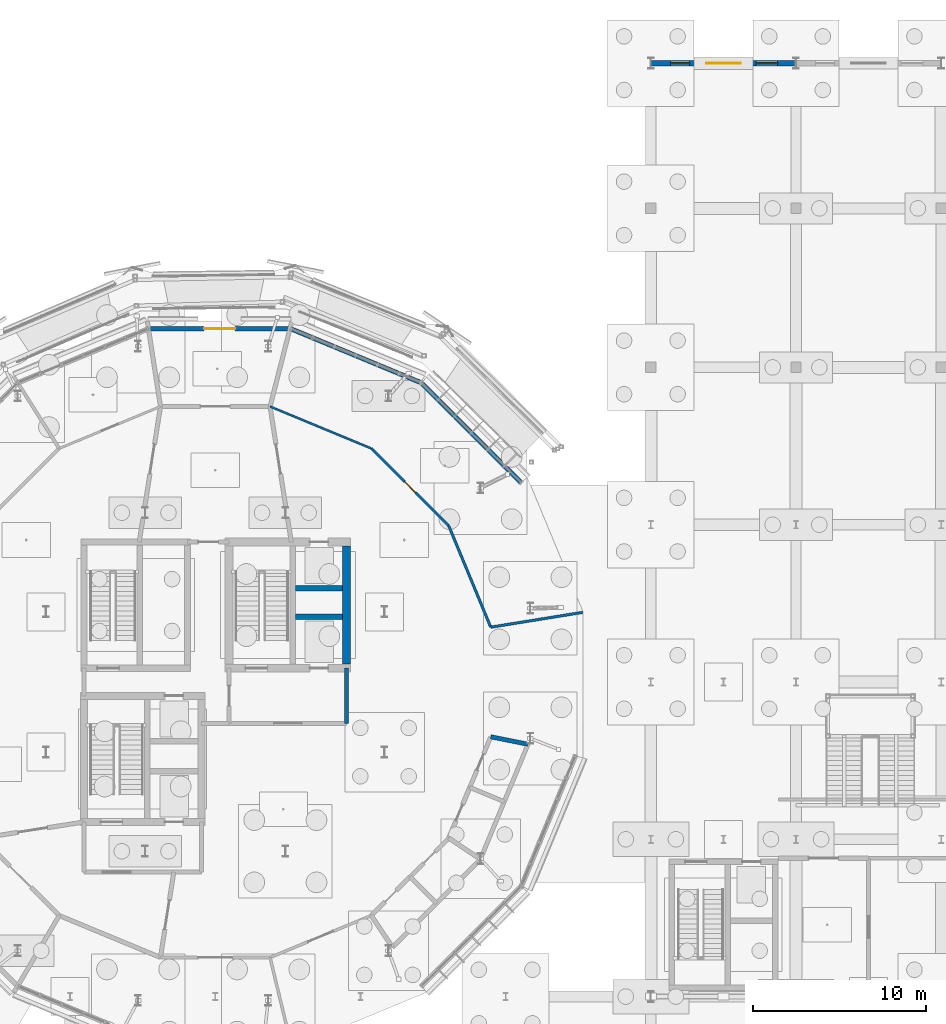
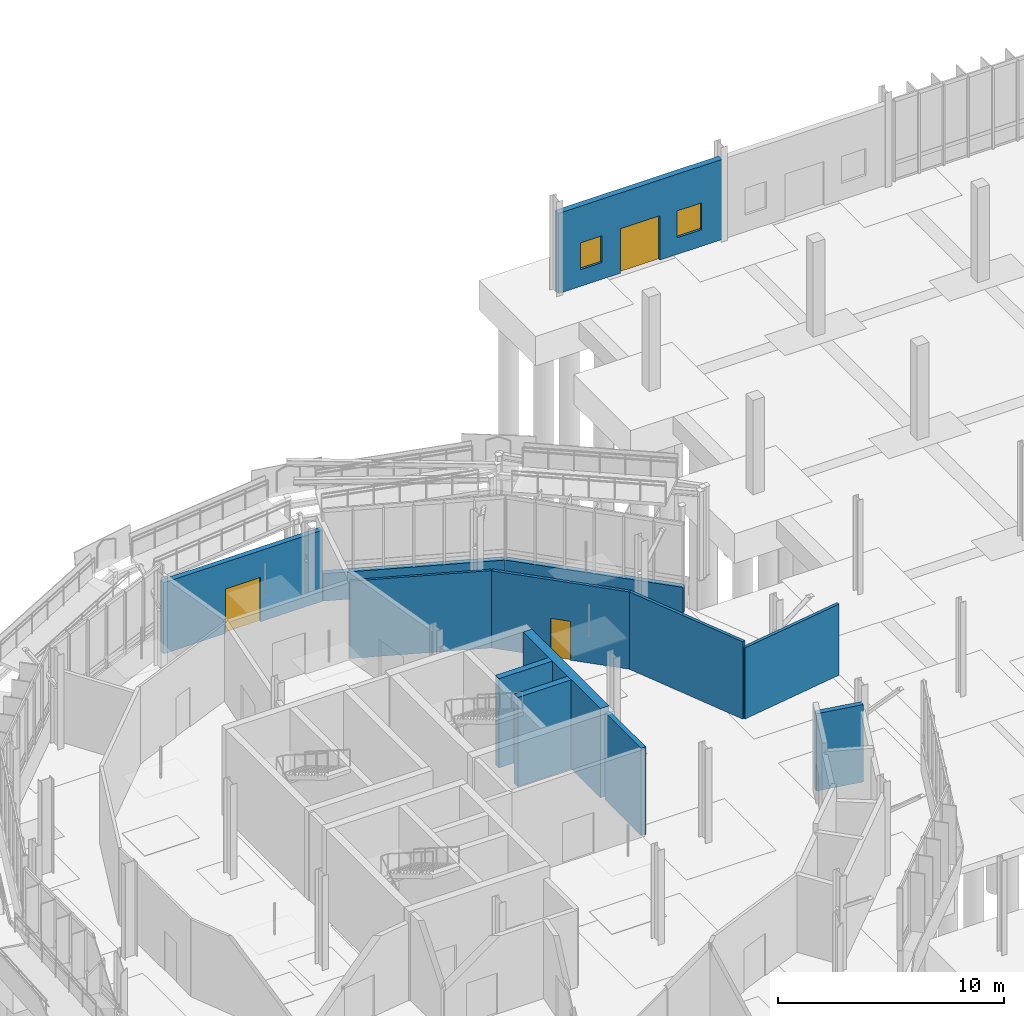
# One storey, part 85 of 119: 13 walls, 3 doors, 2 windows, 5 openings.
"""IFC4 building model written with IfcOpenShell, lengths in metres."""

from ifc_helpers import new_model, si_unit, derived_unit, direction, frame, frame_2d, origin, place, context, subcontext, project, spatial, rectangle, extrude, material, layer, layer_set, type_object, element, fill, save


model = new_model("IFC4")

# Units and contexts
model_context = context("Model", 3, precision=1e-05, world=origin(), true_north=direction((0.0, 1.0)))
body_context = subcontext(model_context, "Body", "Model", "MODEL_VIEW")
ifc_project = project(units=[si_unit("LENGTHUNIT", "METRE"), si_unit("AREAUNIT", "SQUARE_METRE"), si_unit("VOLUMEUNIT", "CUBIC_METRE"), si_unit("PLANEANGLEUNIT", "RADIAN"), si_unit("MASSUNIT", "GRAM", prefix="KILO"), derived_unit("THERMALTRANSMITTANCEUNIT", [(si_unit("MASSUNIT", "GRAM", prefix="KILO"), 1), (si_unit("TIMEUNIT", "SECOND"), -3), (si_unit("THERMODYNAMICTEMPERATUREUNIT", "KELVIN"), -1)])], contexts=[model_context])

# Site, building, storey
site_placement = place(None, origin())
site = spatial("IfcSite", under=ifc_project, at=site_placement, CompositionType="ELEMENT")
building_placement = place(site_placement, origin())
building = spatial("IfcBuilding", under=site, at=building_placement, Name="Makaiwela Harbour Ferry Terminal", CompositionType="ELEMENT")
storey_placement = place(building_placement, origin())
storey = spatial("IfcBuildingStorey", under=building, at=storey_placement, Name="L00", CompositionType="ELEMENT", Elevation=0.0)

# Walls
ifc_material_1 = material(Name="Precast concrete f'c 40 MPa (6000 psi)", Category="concrete")
ifc_layer_1 = layer(ifc_material_1, 0.260009765625)
ifc_layer_set_1 = layer_set([ifc_layer_1], Name="Precast concrete f'c 40 MPa (6000 psi)")
wall_type_1 = type_object("IfcWallType", Name="ENV-WL-EXT260", PredefinedType="SOLIDWALL", material=ifc_layer_set_1)
for number, where, z_axis, x_axis, name in (
    (1, (55.48974609375, 79.13818359375, 0.0), (0.0, 0.0, 1.0), (-0.707106781187, 0.707106781187, 0.0), "Drum Spandrel Backup Wall EW-L00-01"),
    (2, (49.689208984375, 84.92236328125, 0.0), (0.0, 0.0, 1.0), (-0.923884768998, 0.382670790122, 0.0), "Drum Spandrel Backup Wall EW-L00-02"),
):
    element("IfcWall", number, at=place(storey_placement, frame(where, z_axis=z_axis, x_axis=x_axis)), inside=storey, type_object=wall_type_1, Name=name, PredefinedType="SOLIDWALL", context=body_context, shape_type="SweptSolid", body=[
        extrude(rectangle(XDim=8.1337890625, YDim=0.260009765625, at=frame_2d((4.06689453125, 0.0))), origin(), (0.0, 0.0, 1.0), 1.47998046875),
    ])

# Wall, opening, door
wall_1_placement = place(storey_placement, frame((42.116943359375, 88.04638671875, 0.0), z_axis=(0.0, 0.0, 1.0), x_axis=(-1.0, 0.0, 0.0)))
wall_1 = element("IfcWall", 3, at=wall_1_placement, inside=storey, type_object=wall_type_1, Name="Drum Exterior Wall EW-L00-03", PredefinedType="SOLIDWALL", context=body_context, shape_type="SweptSolid", body=[
    extrude(rectangle(XDim=8.1337890625, YDim=0.260009765625, at=frame_2d((4.06689453125, 0.0))), origin(), (0.0, 0.0, 1.0), 3.844970703125),
])
opening_1_placement = place(wall_1_placement, frame((3.1669921875, 0.0, 0.0)))
opening_1 = element("IfcOpeningElement", 4, at=opening_1_placement, cuts=wall_1, Name="Opening ED-01", PredefinedType="OPENING", context=body_context, shape_type="SweptSolid", body=[
    extrude(rectangle(XDim=1.800048828125, YDim=2.39990234375, at=frame_2d((0.89990234375, 1.199951171875))), frame((0.0, 0.139892578125, 0.0), z_axis=(0.0, -1.0, 0.0), x_axis=(1.0, 0.0, 0.0)), (0.0, 0.0, 1.0), 0.280029296875),
])
ifc_material_2 = material(Name="Marine anodised aluminium 6063-T6", Category="aluminium")
door_type_1 = type_object("IfcDoorType", Name="ENV-DR-EXT180", OperationType="NOTDEFINED", PredefinedType="DOOR", material=ifc_material_2)
door_1_placement = place(opening_1_placement, frame((1.800048828125, 0.0, 0.0), z_axis=(0.0, 0.0, 1.0), x_axis=(-1.0, 0.0, 0.0)))
door_1 = element("IfcDoor", 5, at=door_1_placement, inside=storey, type_object=door_type_1, Name="Exterior Door ED-01", OperationType="DOUBLE_DOOR_SINGLE_SWING", OverallHeight=2.39990234375, OverallWidth=1.800048828125, PredefinedType="DOOR", context=body_context, shape_type="SweptSolid", body=[
    extrude(rectangle(XDim=1.800048828125, YDim=2.39990234375, at=frame_2d((0.89990234375, 1.199951171875))), frame((0.0, 0.02490234375, 0.0), z_axis=(0.0, -1.0, 0.0), x_axis=(1.0, 0.0, 0.0)), (0.0, 0.0, 1.0), 0.050048828125),
])
fill(opening_1, door_1)

# Wall, openings, door, windows
ifc_material_3 = material(Name="Precast concrete f'c 40 MPa (6000 psi) with Hawaiian basalt rainscreen", Category="masonry")
ifc_layer_2 = layer(ifc_material_3, 0.300048828125)
ifc_layer_set_2 = layer_set([ifc_layer_2], Name="Precast concrete f'c 40 MPa (6000 psi) with Hawaiian basalt rainscreen")
wall_type_2 = type_object("IfcWallType", Name="ENV-WL-EXT300", PredefinedType="SOLIDWALL", material=ifc_layer_set_2)
wall_2_placement = place(storey_placement, frame((63.014892578125, 103.39990234375, 0.0), z_axis=(0.0, 0.0, 1.0), x_axis=(1.0, 0.0, 0.0)))
wall_2 = element("IfcWall", 6, at=wall_2_placement, inside=storey, type_object=wall_type_2, Name="Exterior Wall EW-001", PredefinedType="SOLIDWALL", context=body_context, shape_type="SweptSolid", body=[
    extrude(rectangle(XDim=8.3701171875, YDim=0.300048828125, at=frame_2d((4.18505859375, 0.0))), origin(), (0.0, 0.0, 1.0), 4.33203125),
])
opening_2_placement = place(wall_2_placement, frame((3.18505859375, 0.0, 0.0)))
opening_2 = element("IfcOpeningElement", 7, at=opening_2_placement, cuts=wall_2, Name="Opening ED-02", PredefinedType="OPENING", context=body_context, shape_type="SweptSolid", body=[
    extrude(rectangle(XDim=2.0, YDim=2.39990234375, at=frame_2d((1.0, 1.199951171875))), frame((0.0, 0.159912109375, 0.0), z_axis=(0.0, -1.0, 0.0), x_axis=(1.0, 0.0, 0.0)), (0.0, 0.0, 1.0), 0.320068359375),
])
opening_3_placement = place(wall_2_placement, frame((1.1240234375, 0.0, 0.89990234375)))
opening_3 = element("IfcOpeningElement", 8, at=opening_3_placement, cuts=wall_2, Name="Opening W-07", PredefinedType="OPENING", context=body_context, shape_type="SweptSolid", body=[
    extrude(rectangle(XDim=1.10009765625, YDim=1.449951171875, at=frame_2d((0.550048828125, 0.72509765625))), frame((0.0, 0.159912109375, 0.0), z_axis=(0.0, -1.0, 0.0), x_axis=(1.0, 0.0, 0.0)), (0.0, 0.0, 1.0), 0.320068359375),
])
opening_4_placement = place(wall_2_placement, frame((6.071044921875, 0.0, 0.89990234375)))
opening_4 = element("IfcOpeningElement", 9, at=opening_4_placement, cuts=wall_2, Name="Opening W-08", PredefinedType="OPENING", context=body_context, shape_type="SweptSolid", body=[
    extrude(rectangle(XDim=1.25, YDim=1.449951171875, at=frame_2d((0.625, 0.72509765625))), frame((0.0, 0.159912109375, 0.0), z_axis=(0.0, -1.0, 0.0), x_axis=(1.0, 0.0, 0.0)), (0.0, 0.0, 1.0), 0.320068359375),
])
door_type_2 = type_object("IfcDoorType", Name="ENV-DR-EXT200", OperationType="NOTDEFINED", PredefinedType="DOOR", material=ifc_material_2)
door_2_placement = place(opening_2_placement, origin())
door_2 = element("IfcDoor", 10, at=door_2_placement, inside=storey, type_object=door_type_2, Name="Exterior Door ED-02", OperationType="DOUBLE_DOOR_SINGLE_SWING", OverallHeight=2.39990234375, OverallWidth=2.0, PredefinedType="DOOR", context=body_context, shape_type="SweptSolid", body=[
    extrude(rectangle(XDim=2.0, YDim=2.39990234375, at=frame_2d((1.0, 1.199951171875))), frame((0.0, 0.02490234375, 0.0), z_axis=(0.0, -1.0, 0.0), x_axis=(1.0, 0.0, 0.0)), (0.0, 0.0, 1.0), 0.050048828125),
])
fill(opening_2, door_2)
ifc_material_4 = material(Name="Laminated hurricane-impact low-E insulated glazing", Category="glass")
window_type_1 = type_object("IfcWindowType", Name="ENV-WIN-07", PartitioningType="SINGLE_PANEL", PredefinedType="WINDOW", material=ifc_material_4)
window_1_placement = place(opening_3_placement, origin())
window_1 = element("IfcWindow", 11, at=window_1_placement, inside=storey, type_object=window_type_1, Name="Exterior Window W-07", OverallHeight=1.449951171875, OverallWidth=1.10009765625, PartitioningType="SINGLE_PANEL", PredefinedType="WINDOW", context=body_context, shape_type="SweptSolid", body=[
    extrude(rectangle(XDim=1.10009765625, YDim=1.449951171875, at=frame_2d((0.550048828125, 0.72509765625))), frame((0.0, 0.030029296875, 0.0), z_axis=(0.0, -1.0, 0.0), x_axis=(1.0, 0.0, 0.0)), (0.0, 0.0, 1.0), 0.06005859375),
])
fill(opening_3, window_1)
window_type_2 = type_object("IfcWindowType", Name="ENV-WIN-08", PartitioningType="SINGLE_PANEL", PredefinedType="WINDOW", material=ifc_material_4)
window_2_placement = place(opening_4_placement, origin())
window_2 = element("IfcWindow", 12, at=window_2_placement, inside=storey, type_object=window_type_2, Name="Exterior Window W-08", OverallHeight=1.449951171875, OverallWidth=1.25, PartitioningType="SINGLE_PANEL", PredefinedType="WINDOW", context=body_context, shape_type="SweptSolid", body=[
    extrude(rectangle(XDim=1.25, YDim=1.449951171875, at=frame_2d((0.625, 0.72509765625))), frame((0.0, 0.030029296875, 0.0), z_axis=(0.0, -1.0, 0.0), x_axis=(1.0, 0.0, 0.0)), (0.0, 0.0, 1.0), 0.06005859375),
])
fill(opening_4, window_2)

# Walls
ifc_material_5 = material(Name="Fire-rated gypsum board on steel studs", Category="steel")
ifc_layer_3 = layer(ifc_material_5, 0.239990234375)
ifc_layer_set_3 = layer_set([ifc_layer_3], Name="Fire-rated gypsum board on steel studs")
wall_type_3 = type_object("IfcWallType", Name="INT-WL-FIR240", PredefinedType="SOLIDWALL", material=ifc_layer_set_3)
wall_3_placement = place(storey_placement, frame((45.39990234375, 65.199951171875, 0.0), z_axis=(0.0, 0.0, 1.0), x_axis=(0.0, 1.0, 0.0)))
element("IfcWall", 13, at=wall_3_placement, inside=storey, type_object=wall_type_3, Name="Interior Wall IW-0003", PredefinedType="SOLIDWALL", context=body_context, shape_type="SweptSolid", body=[
    extrude(rectangle(XDim=3.199951171875, YDim=0.239990234375, at=frame_2d((1.60009765625, 0.0))), origin(), (0.0, 0.0, 1.0), 4.719970703125),
])
ifc_material_6 = material(Name="Moisture-resistant acoustic gypsum partition", Category="gypsum")
ifc_layer_4 = layer(ifc_material_6, 0.25)
ifc_layer_set_4 = layer_set([ifc_layer_4], Name="Moisture-resistant acoustic gypsum partition")
wall_type_4 = type_object("IfcWallType", Name="INT-WL-PLM250", PredefinedType="PLUMBINGWALL", material=ifc_layer_set_4)
wall_4_placement = place(storey_placement, frame((53.73779296875, 64.4296875, 0.0), z_axis=(0.0, 0.0, 1.0), x_axis=(0.98078501504, -0.195091656081, 0.0)))
element("IfcWall", 14, at=wall_4_placement, inside=storey, type_object=wall_type_4, Name="Interior Wall IW-0259", PredefinedType="PLUMBINGWALL", context=body_context, shape_type="SweptSolid", body=[
    extrude(rectangle(XDim=2.199951171875, YDim=0.25, at=frame_2d((1.10009765625, 0.0))), origin(), (0.0, 0.0, 1.0), 4.178955078125),
])
ifc_layer_5 = layer(ifc_material_6, 0.1201171875)
ifc_layer_set_5 = layer_set([ifc_layer_5], Name="Moisture-resistant acoustic gypsum partition")
wall_type_5 = type_object("IfcWallType", Name="INT-WL-PRT120", PredefinedType="PARTITIONING", material=ifc_layer_set_5)
wall_5_placement = place(storey_placement, frame((46.827880859375, 81.111328125, 0.0), z_axis=(0.0, 0.0, 1.0), x_axis=(-0.923868995071, 0.382708871005, 0.0)))
element("IfcWall", 15, at=wall_5_placement, inside=storey, type_object=wall_type_5, Name="Interior Wall IW-0238", PredefinedType="PARTITIONING", context=body_context, shape_type="SweptSolid", body=[
    extrude(rectangle(XDim=6.34033203125, YDim=0.1201171875, at=frame_2d((3.170166015625, 0.0))), origin(), (0.0, 0.0, 1.0), 4.178955078125),
])
ifc_layer_6 = layer(ifc_material_6, 0.14990234375)
ifc_layer_set_6 = layer_set([ifc_layer_6], Name="Moisture-resistant acoustic gypsum partition")
wall_type_6 = type_object("IfcWallType", Name="INT-WL-PRT150", PredefinedType="PARTITIONING", material=ifc_layer_set_6)
wall_6_placement = place(storey_placement, frame((53.73779296875, 70.770263671875, 0.0), z_axis=(0.0, 0.0, 1.0), x_axis=(-0.382708871005, 0.923868995071, 0.0)))
element("IfcWall", 16, at=wall_6_placement, inside=storey, type_object=wall_type_6, Name="Interior Wall IW-0236", PredefinedType="PARTITIONING", context=body_context, shape_type="SweptSolid", body=[
    extrude(rectangle(XDim=6.34033203125, YDim=0.14990234375, at=frame_2d((3.170166015625, 0.0))), origin(), (0.0, 0.0, 1.0), 4.178955078125),
])

# Wall, opening, door
wall_7_placement = place(storey_placement, frame((51.311279296875, 76.6279296875, 0.0), z_axis=(0.0, 0.0, 1.0), x_axis=(-0.707106781187, 0.707106781187, 0.0)))
wall_7 = element("IfcWall", 17, at=wall_7_placement, inside=storey, type_object=wall_type_6, Name="Interior Wall IW-0237", PredefinedType="PARTITIONING", context=body_context, shape_type="SweptSolid", body=[
    extrude(rectangle(XDim=6.340576171875, YDim=0.14990234375, at=frame_2d((3.17041015625, 0.0))), origin(), (0.0, 0.0, 1.0), 4.178955078125),
])
opening_5_placement = place(wall_7_placement, frame((2.72021484375, 0.0, 0.0)))
opening_5 = element("IfcOpeningElement", 18, at=opening_5_placement, cuts=wall_7, Name="Opening D-07", PredefinedType="OPENING", context=body_context, shape_type="SweptSolid", body=[
    extrude(rectangle(XDim=0.89990234375, YDim=2.10009765625, at=frame_2d((0.449951171875, 1.050048828125))), frame((0.0, 0.0849609375, 0.0), z_axis=(0.0, -1.0, 0.0), x_axis=(1.0, 0.0, 0.0)), (0.0, 0.0, 1.0), 0.169921875),
])
ifc_material_7 = material(Name="Solid-core marine hardwood and painted steel frame", Category="steel")
door_type_3 = type_object("IfcDoorType", Name="INT-DR-RM090", OperationType="NOTDEFINED", PredefinedType="DOOR", material=ifc_material_7)
door_3_placement = place(opening_5_placement, frame((0.89990234375, 0.0, 0.0), z_axis=(0.0, 0.0, 1.0), x_axis=(-1.0, 0.0, 0.0)))
door_3 = element("IfcDoor", 19, at=door_3_placement, inside=storey, type_object=door_type_3, Name="Door D-07", OperationType="SINGLE_SWING_RIGHT", OverallHeight=2.10009765625, OverallWidth=0.89990234375, PredefinedType="DOOR", context=body_context, shape_type="SweptSolid", body=[
    extrude(rectangle(XDim=0.89990234375, YDim=2.10009765625, at=frame_2d((0.449951171875, 1.050048828125))), frame((0.0, 0.02490234375, 0.0), z_axis=(0.0, -1.0, 0.0), x_axis=(1.0, 0.0, 0.0)), (0.0, 0.0, 1.0), 0.050048828125),
])
fill(opening_5, door_3)

# Walls
wall_8_placement = place(storey_placement, frame((53.73779296875, 70.770263671875, 0.0), z_axis=(0.0, 0.0, 1.0), x_axis=(0.987237898524, 0.159252415111, 0.0)))
element("IfcWall", 20, at=wall_8_placement, inside=storey, type_object=wall_type_6, Name="Interior Wall IW-0260", PredefinedType="PARTITIONING", context=body_context, shape_type="SweptSolid", body=[
    extrude(rectangle(XDim=5.37939453125, YDim=0.14990234375, at=frame_2d((2.689697265625, 0.0))), origin(), (0.0, 0.0, 1.0), 3.844970703125),
])
ifc_material_8 = material(Name="Concrete f'c 45 MPa (6500 psi)", Category="concrete")
ifc_layer_7 = layer(ifc_material_8, 0.320068359375)
ifc_layer_set_7 = layer_set([ifc_layer_7], Name="Concrete f'c 45 MPa (6500 psi)")
wall_type_7 = type_object("IfcWallType", Name="INT-WL-SHR320", PredefinedType="SHEAR", material=ifc_layer_set_7)
for number, where, z_axis, x_axis, name in (
    (21, (42.43701171875, 71.364990234375, 0.0), (0.0, 0.0, 1.0), (1.0, 0.0, 0.0), "Interior Wall IW-0009"),
    (22, (42.43701171875, 73.034912109375, 0.0), (0.0, 0.0, 1.0), (1.0, 0.0, 0.0), "Interior Wall IW-0010"),
):
    element("IfcWall", number, at=place(storey_placement, frame(where, z_axis=z_axis, x_axis=x_axis)), inside=storey, type_object=wall_type_7, Name=name, PredefinedType="SHEAR", context=body_context, shape_type="SweptSolid", body=[
        extrude(rectangle(XDim=2.73291015625, YDim=0.320068359375, at=frame_2d((1.366455078125, 0.0))), origin(), (0.0, 0.0, 1.0), 4.820068359375),
    ])
ifc_layer_8 = layer(ifc_material_8, 0.449951171875)
ifc_layer_set_8 = layer_set([ifc_layer_8], Name="Concrete f'c 45 MPa (6500 psi)")
wall_type_8 = type_object("IfcWallType", Name="INT-WL-SHR450", PredefinedType="SHEAR", material=ifc_layer_set_8)
wall_9_placement = place(storey_placement, frame((45.39990234375, 68.635009765625, 0.0), z_axis=(0.0, 0.0, 1.0), x_axis=(0.0, 1.0, 0.0)))
element("IfcWall", 23, at=wall_9_placement, inside=storey, type_object=wall_type_8, Name="Interior Wall IW-0007", PredefinedType="SHEAR", context=body_context, shape_type="SweptSolid", body=[
    extrude(rectangle(XDim=6.830078125, YDim=0.449951171875, at=frame_2d((3.4150390625, 0.0))), origin(), (0.0, 0.0, 1.0), 4.820068359375),
])

save(model, "model.ifc")
